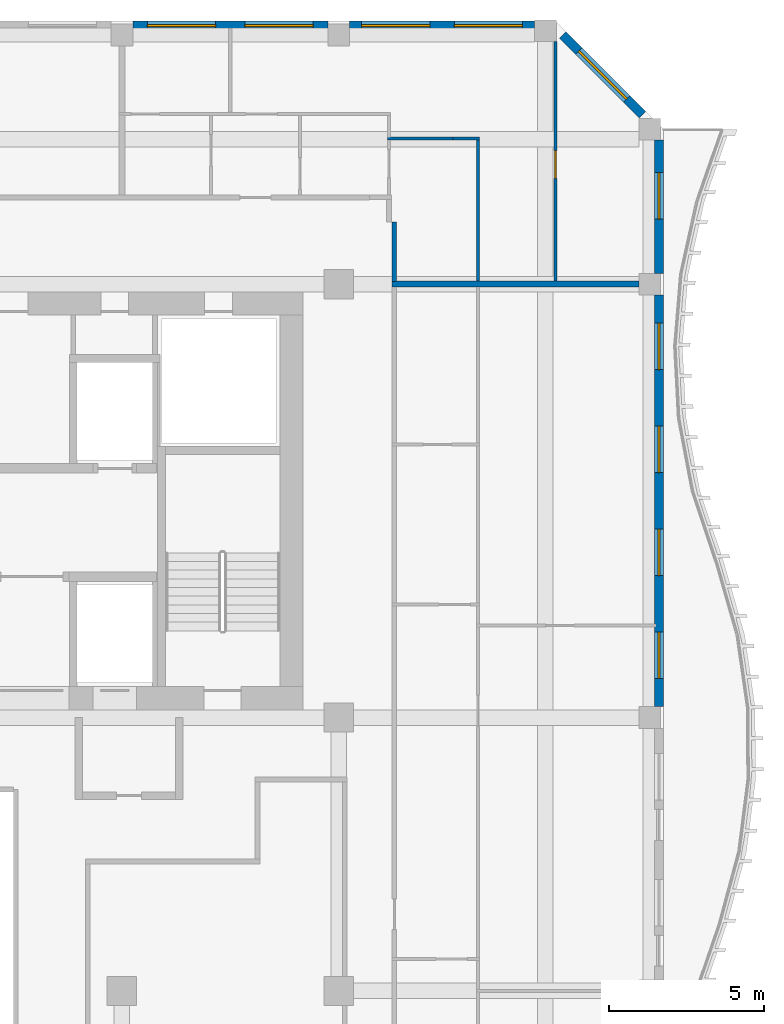
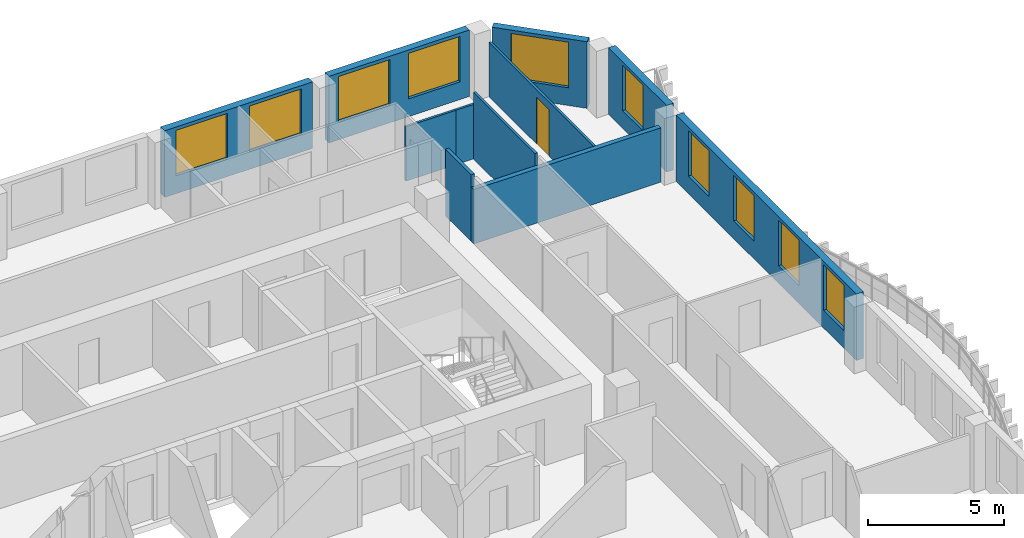
# One storey, part 8 of 13: 11 walls, 10 windows, 1 door, 11 openings.
"""IFC4 building model written with IfcOpenShell, lengths in metres."""

from ifc_helpers import new_model, si_unit, direction, frame, frame_2d, origin, place, context, subcontext, project, spatial, rectangle, extrude, source, transform, mapped, material, layer, layer_set, type_object, element, fill, save


model = new_model("IFC4")

# Units and contexts
model_context = context("Model", 3, precision=1e-05, world=origin(), true_north=direction((0.0, 1.0)))
body_context = subcontext(model_context, "Body", "Model", "MODEL_VIEW")
ifc_project = project(units=[si_unit("LENGTHUNIT", "METRE"), si_unit("AREAUNIT", "SQUARE_METRE"), si_unit("VOLUMEUNIT", "CUBIC_METRE"), si_unit("PLANEANGLEUNIT", "RADIAN"), si_unit("MASSUNIT", "GRAM", prefix="KILO")], contexts=[model_context])

# Site, building, storey
site_placement = place(None, origin())
site = spatial("IfcSite", under=ifc_project, at=site_placement, CompositionType="ELEMENT")
building_placement = place(site_placement, origin())
building = spatial("IfcBuilding", under=site, at=building_placement, Name="Kilnfold Tower and Market Hall", CompositionType="ELEMENT")
storey_placement = place(building_placement, frame((0.0, 0.0, 259.39990234375)))
storey = spatial("IfcBuildingStorey", under=building, at=storey_placement, Name="L63", CompositionType="ELEMENT", Elevation=259.39990234375)

# Walls
ifc_material_1 = material(Name="Gypsum board on steel studs", Category="steel")
ifc_layer_1 = layer(ifc_material_1, 0.14990234375)
ifc_layer_set_1 = layer_set([ifc_layer_1], Name="Gypsum board on steel studs")
wall_type_1 = type_object("IfcWallType", Name="WALL CORRIDOR 150", PredefinedType="PARTITIONING", material=ifc_layer_set_1)
wall_1_placement = place(storey_placement, frame((20.800048828125, 22.090087890625, 0.0), z_axis=(0.0, 0.0, 1.0), x_axis=(0.0, 1.0, 0.0)))
element("IfcWall", 1, at=wall_1_placement, inside=storey, type_object=wall_type_1, Name="Partition LY39.19", PredefinedType="PARTITIONING", context=body_context, shape_type="SweptSolid", body=[
    extrude(rectangle(XDim=1.909912109375, YDim=0.14990234375, at=frame_2d((0.955078125, 0.0))), origin(), (0.0, 0.0, 1.0), 3.0),
])
ifc_material_2 = material(Name="Gypsum board on steel studs", Category="steel")
ifc_layer_2 = layer(ifc_material_2, 0.10009765625)
ifc_layer_set_2 = layer_set([ifc_layer_2], Name="Gypsum board on steel studs")
wall_type_2 = type_object("IfcWallType", Name="WALL PARTITION 100", PredefinedType="PARTITIONING", material=ifc_layer_set_2)
wall_2_placement = place(storey_placement, frame((22.701904296875, 26.697998046875, 0.0), z_axis=(0.0, 0.0, 1.0), x_axis=(-1.0, 0.0, 0.0)))
element("IfcWall", 2, at=wall_2_placement, inside=storey, type_object=wall_type_2, Name="Partition LY39.72", PredefinedType="PARTITIONING", context=body_context, shape_type="SweptSolid", body=[
    extrude(rectangle(XDim=2.126953125, YDim=0.10009765625, at=frame_2d((1.0634765625, 0.0))), origin(), (0.0, 0.0, 1.0), 2.4501953125),
])
wall_3_placement = place(storey_placement, frame((23.550048828125, 26.699951171875, 0.0), z_axis=(0.0, 0.0, 1.0), x_axis=(-1.0, 0.0, 0.0)))
element("IfcWall", 3, at=wall_3_placement, inside=storey, type_object=wall_type_2, Name="Partition LY39.73", PredefinedType="PARTITIONING", context=body_context, shape_type="SweptSolid", body=[
    extrude(rectangle(XDim=0.84814453125, YDim=0.10009765625, at=frame_2d((0.424072265625, 0.0))), origin(), (0.0, 0.0, 1.0), 2.4501953125),
])
wall_4_placement = place(storey_placement, frame((23.5, 22.10009765625, 0.0), z_axis=(0.0, 0.0, 1.0), x_axis=(0.0, 1.0, 0.0)))
element("IfcWall", 4, at=wall_4_placement, inside=storey, type_object=wall_type_2, Name="Partition LY39.74", PredefinedType="PARTITIONING", context=body_context, shape_type="SweptSolid", body=[
    extrude(rectangle(XDim=4.5498046875, YDim=0.10009765625, at=frame_2d((2.27490234375, 0.0))), origin(), (0.0, 0.0, 1.0), 3.0),
])

# Wall, opening, door
wall_5_placement = place(storey_placement, frame((26.0, 22.10009765625, 0.0), z_axis=(0.0, 0.0, 1.0), x_axis=(0.0, 1.0, 0.0)))
wall_5 = element("IfcWall", 5, at=wall_5_placement, inside=storey, type_object=wall_type_2, Name="Partition LY39.76", PredefinedType="PARTITIONING", context=body_context, shape_type="SweptSolid", body=[
    extrude(rectangle(XDim=7.73193359375, YDim=0.10009765625, at=frame_2d((3.865966796875, 0.0))), origin(), (0.0, 0.0, 1.0), 2.4501953125),
])
opening_1_placement = place(wall_5_placement, frame((3.31494140625, 0.0, 0.0)))
opening_1 = element("IfcOpeningElement", 6, at=opening_1_placement, cuts=wall_5, Name="Opening D2", PredefinedType="OPENING", context=body_context, shape_type="SweptSolid", body=[
    extrude(rectangle(XDim=0.89990234375, YDim=2.10009765625, at=frame_2d((0.449951171875, 1.050048828125))), frame((0.0, 0.06005859375, 0.0), z_axis=(0.0, -1.0, 0.0), x_axis=(1.0, 0.0, 0.0)), (0.0, 0.0, 1.0), 0.1201171875),
])
ifc_material_3 = material(Name="Timber veneer door leaf in steel frame", Category="steel")
door_type = type_object("IfcDoorType", Name="DOOR ROOM 900 X2100", OperationType="NOTDEFINED", PredefinedType="DOOR", material=ifc_material_3)
door_placement = place(opening_1_placement, origin())
door = element("IfcDoor", 7, at=door_placement, inside=storey, type_object=door_type, Name="Door D2", OperationType="SINGLE_SWING_RIGHT", OverallHeight=2.10009765625, OverallWidth=0.89990234375, PredefinedType="DOOR", context=body_context, shape_type="SweptSolid", body=[
    extrude(rectangle(XDim=0.89990234375, YDim=2.10009765625, at=frame_2d((0.449951171875, 1.050048828125))), frame((0.0, 0.02490234375, 0.0), z_axis=(0.0, -1.0, 0.0), x_axis=(1.0, 0.0, 0.0)), (0.0, 0.0, 1.0), 0.050048828125),
])
fill(opening_1, door)

# Wall
ifc_material_4 = material(Name="Gypsum board on steel studs", Category="steel")
ifc_layer_3 = layer(ifc_material_4, 0.199951171875)
ifc_layer_set_3 = layer_set([ifc_layer_3], Name="Gypsum board on steel studs")
wall_type_3 = type_object("IfcWallType", Name="WALL PARTY 200", PredefinedType="PARTITIONING", material=ifc_layer_set_3)
wall_6_placement = place(storey_placement, frame((20.72705078125, 22.0, 0.0), z_axis=(0.0, 0.0, 1.0), x_axis=(1.0, 0.0, 0.0)))
element("IfcWall", 8, at=wall_6_placement, inside=storey, type_object=wall_type_3, Name="Partition LY39.64", PredefinedType="PARTITIONING", context=body_context, shape_type="SweptSolid", body=[
    extrude(rectangle(XDim=7.972900390625, YDim=0.199951171875, at=frame_2d((3.986328125, 0.0))), origin(), (0.0, 0.0, 1.0), 2.4501953125),
])

# Wall, openings, windows
ifc_material_5 = material(Name="Precast concrete C50/60", Category="concrete")
ifc_layer_4 = layer(ifc_material_5, 0.300048828125)
ifc_layer_set_4 = layer_set([ifc_layer_4], Name="Precast concrete C50/60")
wall_type_4 = type_object("IfcWallType", Name="PRECAST WALL 300", PredefinedType="SOLIDWALL", material=ifc_layer_set_4)
shared_shape_1 = source(origin(), body_context, "Body", "SweptSolid", [
    extrude(rectangle(XDim=6.2998046875, YDim=0.300048828125, at=frame_2d((3.14990234375, 0.0))), origin(), (0.0, 0.0, 1.0), 3.0),
])
wall_7_placement = place(storey_placement, frame((18.64990234375, 30.35009765625, 0.0), z_axis=(0.0, 0.0, 1.0), x_axis=(-1.0, 0.0, 0.0)))
wall_7 = element("IfcWall", 9, at=wall_7_placement, inside=storey, type_object=wall_type_4, Name="External wall L63 N", PredefinedType="SOLIDWALL", context=body_context, shape_type="MappedRepresentation", body=[
    mapped(shared_shape_1, transform((0.0, 0.0, 0.0))),
])
opening_2_placement = place(wall_7_placement, frame((0.47509765625, 0.0, 0.800048828125)))
opening_2 = element("IfcOpeningElement", 10, at=opening_2_placement, cuts=wall_7, Name="Opening W3", PredefinedType="OPENING", context=body_context, shape_type="SweptSolid", body=[
    extrude(rectangle(XDim=2.199951171875, YDim=2.050048828125, at=frame_2d((1.10009765625, 1.02490234375))), frame((0.0, 0.16015625, 0.0), z_axis=(0.0, -1.0, 0.0), x_axis=(1.0, 0.0, 0.0)), (0.0, 0.0, 1.0), 0.320068359375),
])
opening_3_placement = place(wall_7_placement, frame((3.625, 0.0, 0.800048828125)))
opening_3 = element("IfcOpeningElement", 11, at=opening_3_placement, cuts=wall_7, Name="Opening W3", PredefinedType="OPENING", context=body_context, shape_type="SweptSolid", body=[
    extrude(rectangle(XDim=2.199951171875, YDim=2.050048828125, at=frame_2d((1.10009765625, 1.02490234375))), frame((0.0, 0.16015625, 0.0), z_axis=(0.0, -1.0, 0.0), x_axis=(1.0, 0.0, 0.0)), (0.0, 0.0, 1.0), 0.320068359375),
])
ifc_material_6 = material(Name="Aluminium frame and double glazing", Category="aluminium")
window_type_1 = type_object("IfcWindowType", Name="WINDOW W3 2200X2050", PartitioningType="SINGLE_PANEL", PredefinedType="WINDOW", material=ifc_material_6)
window_1_placement = place(opening_2_placement, origin())
window_1 = element("IfcWindow", 12, at=window_1_placement, inside=storey, type_object=window_type_1, Name="Window W3 L63 N-1", OverallHeight=2.050048828125, OverallWidth=2.199951171875, PartitioningType="SINGLE_PANEL", PredefinedType="WINDOW", context=body_context, shape_type="SweptSolid", body=[
    extrude(rectangle(XDim=2.199951171875, YDim=2.050048828125, at=frame_2d((1.10009765625, 1.02490234375))), frame((0.0, 0.030029296875, 0.0), z_axis=(0.0, -1.0, 0.0), x_axis=(1.0, 0.0, 0.0)), (0.0, 0.0, 1.0), 0.06005859375),
])
fill(opening_2, window_1)
window_2_placement = place(opening_3_placement, origin())
window_2 = element("IfcWindow", 13, at=window_2_placement, inside=storey, type_object=window_type_1, Name="Window W3 L63 N-2", OverallHeight=2.050048828125, OverallWidth=2.199951171875, PartitioningType="SINGLE_PANEL", PredefinedType="WINDOW", context=body_context, shape_type="SweptSolid", body=[
    extrude(rectangle(XDim=2.199951171875, YDim=2.050048828125, at=frame_2d((1.10009765625, 1.02490234375))), frame((0.0, 0.030029296875, 0.0), z_axis=(0.0, -1.0, 0.0), x_axis=(1.0, 0.0, 0.0)), (0.0, 0.0, 1.0), 0.06005859375),
])
fill(opening_3, window_2)

# Wall, opening, window
shared_shape_2 = source(origin(), body_context, "Body", "SweptSolid", [
    extrude(rectangle(XDim=3.6416015625, YDim=0.300048828125, at=frame_2d((1.82080078125, 0.0))), origin(), (0.0, 0.0, 1.0), 3.0),
])
wall_8_placement = place(storey_placement, frame((28.81884765625, 27.468994140625, 0.0), z_axis=(0.0, 0.0, 1.0), x_axis=(-0.707106781187, 0.707106781187, 0.0)))
wall_8 = element("IfcWall", 14, at=wall_8_placement, inside=storey, type_object=wall_type_4, Name="External wall L63 NE", PredefinedType="SOLIDWALL", context=body_context, shape_type="MappedRepresentation", body=[
    mapped(shared_shape_2, transform((0.0, 0.0, 0.0))),
])
opening_4_placement = place(wall_8_placement, frame((0.720703125, 0.0, 0.800048828125)))
opening_4 = element("IfcOpeningElement", 15, at=opening_4_placement, cuts=wall_8, Name="Opening W3", PredefinedType="OPENING", context=body_context, shape_type="SweptSolid", body=[
    extrude(rectangle(XDim=2.199951171875, YDim=2.050048828125, at=frame_2d((1.10009765625, 1.02490234375))), frame((0.0, 0.16015625, 0.0), z_axis=(0.0, -1.0, 0.0), x_axis=(1.0, 0.0, 0.0)), (0.0, 0.0, 1.0), 0.320068359375),
])
window_3_placement = place(opening_4_placement, origin())
window_3 = element("IfcWindow", 16, at=window_3_placement, inside=storey, type_object=window_type_1, Name="Window W3 L63 NE-1", OverallHeight=2.050048828125, OverallWidth=2.199951171875, PartitioningType="SINGLE_PANEL", PredefinedType="WINDOW", context=body_context, shape_type="SweptSolid", body=[
    extrude(rectangle(XDim=2.199951171875, YDim=2.050048828125, at=frame_2d((1.10009765625, 1.02490234375))), frame((0.0, 0.030029296875, 0.0), z_axis=(0.0, -1.0, 0.0), x_axis=(1.0, 0.0, 0.0)), (0.0, 0.0, 1.0), 0.06005859375),
])
fill(opening_4, window_3)

# Wall, openings, windows
shared_shape_3 = source(origin(), body_context, "Body", "SweptSolid", [
    extrude(rectangle(XDim=13.2998046875, YDim=0.300048828125, at=frame_2d((6.64990234375, 0.0))), origin(), (0.0, 0.0, 1.0), 3.0),
])
wall_9_placement = place(storey_placement, frame((29.35009765625, 8.35009765625, 0.0), z_axis=(0.0, 0.0, 1.0), x_axis=(0.0, 1.0, 0.0)))
wall_9 = element("IfcWall", 17, at=wall_9_placement, inside=storey, type_object=wall_type_4, Name="External wall L63 E", PredefinedType="SOLIDWALL", context=body_context, shape_type="MappedRepresentation", body=[
    mapped(shared_shape_3, transform((0.0, 0.0, 0.0))),
])
opening_5_placement = place(wall_9_placement, frame((0.91259765625, 0.0, 0.800048828125)))
opening_5 = element("IfcOpeningElement", 18, at=opening_5_placement, cuts=wall_9, Name="Opening W5", PredefinedType="OPENING", context=body_context, shape_type="SweptSolid", body=[
    extrude(rectangle(XDim=1.5, YDim=2.050048828125, at=frame_2d((0.75, 1.02490234375))), frame((0.0, 0.16015625, 0.0), z_axis=(0.0, -1.0, 0.0), x_axis=(1.0, 0.0, 0.0)), (0.0, 0.0, 1.0), 0.320068359375),
])
opening_6_placement = place(wall_9_placement, frame((4.237548828125, 0.0, 0.800048828125)))
opening_6 = element("IfcOpeningElement", 19, at=opening_6_placement, cuts=wall_9, Name="Opening W5", PredefinedType="OPENING", context=body_context, shape_type="SweptSolid", body=[
    extrude(rectangle(XDim=1.5, YDim=2.050048828125, at=frame_2d((0.75, 1.02490234375))), frame((0.0, 0.16015625, 0.0), z_axis=(0.0, -1.0, 0.0), x_axis=(1.0, 0.0, 0.0)), (0.0, 0.0, 1.0), 0.320068359375),
])
opening_7_placement = place(wall_9_placement, frame((7.5625, 0.0, 0.800048828125)))
opening_7 = element("IfcOpeningElement", 20, at=opening_7_placement, cuts=wall_9, Name="Opening W5", PredefinedType="OPENING", context=body_context, shape_type="SweptSolid", body=[
    extrude(rectangle(XDim=1.5, YDim=2.050048828125, at=frame_2d((0.75, 1.02490234375))), frame((0.0, 0.16015625, 0.0), z_axis=(0.0, -1.0, 0.0), x_axis=(1.0, 0.0, 0.0)), (0.0, 0.0, 1.0), 0.320068359375),
])
opening_8_placement = place(wall_9_placement, frame((10.887451171875, 0.0, 0.800048828125)))
opening_8 = element("IfcOpeningElement", 21, at=opening_8_placement, cuts=wall_9, Name="Opening W5", PredefinedType="OPENING", context=body_context, shape_type="SweptSolid", body=[
    extrude(rectangle(XDim=1.5, YDim=2.050048828125, at=frame_2d((0.75, 1.02490234375))), frame((0.0, 0.16015625, 0.0), z_axis=(0.0, -1.0, 0.0), x_axis=(1.0, 0.0, 0.0)), (0.0, 0.0, 1.0), 0.320068359375),
])
ifc_material_7 = material(Name="Aluminium frame and double glazing", Category="aluminium")
window_type_2 = type_object("IfcWindowType", Name="WINDOW W5 1500X2050", PartitioningType="SINGLE_PANEL", PredefinedType="WINDOW", material=ifc_material_7)
window_4_placement = place(opening_5_placement, origin())
window_4 = element("IfcWindow", 22, at=window_4_placement, inside=storey, type_object=window_type_2, Name="Window W5 L63 E-1", OverallHeight=2.050048828125, OverallWidth=1.5, PartitioningType="SINGLE_PANEL", PredefinedType="WINDOW", context=body_context, shape_type="SweptSolid", body=[
    extrude(rectangle(XDim=1.5, YDim=2.050048828125, at=frame_2d((0.75, 1.02490234375))), frame((0.0, 0.030029296875, 0.0), z_axis=(0.0, -1.0, 0.0), x_axis=(1.0, 0.0, 0.0)), (0.0, 0.0, 1.0), 0.06005859375),
])
fill(opening_5, window_4)
window_5_placement = place(opening_6_placement, origin())
window_5 = element("IfcWindow", 23, at=window_5_placement, inside=storey, type_object=window_type_2, Name="Window W5 L63 E-2", OverallHeight=2.050048828125, OverallWidth=1.5, PartitioningType="SINGLE_PANEL", PredefinedType="WINDOW", context=body_context, shape_type="SweptSolid", body=[
    extrude(rectangle(XDim=1.5, YDim=2.050048828125, at=frame_2d((0.75, 1.02490234375))), frame((0.0, 0.030029296875, 0.0), z_axis=(0.0, -1.0, 0.0), x_axis=(1.0, 0.0, 0.0)), (0.0, 0.0, 1.0), 0.06005859375),
])
fill(opening_6, window_5)
window_6_placement = place(opening_7_placement, origin())
window_6 = element("IfcWindow", 24, at=window_6_placement, inside=storey, type_object=window_type_2, Name="Window W5 L63 E-3", OverallHeight=2.050048828125, OverallWidth=1.5, PartitioningType="SINGLE_PANEL", PredefinedType="WINDOW", context=body_context, shape_type="SweptSolid", body=[
    extrude(rectangle(XDim=1.5, YDim=2.050048828125, at=frame_2d((0.75, 1.02490234375))), frame((0.0, 0.030029296875, 0.0), z_axis=(0.0, -1.0, 0.0), x_axis=(1.0, 0.0, 0.0)), (0.0, 0.0, 1.0), 0.06005859375),
])
fill(opening_7, window_6)
window_7_placement = place(opening_8_placement, origin())
window_7 = element("IfcWindow", 25, at=window_7_placement, inside=storey, type_object=window_type_2, Name="Window W5 L63 E-4", OverallHeight=2.050048828125, OverallWidth=1.5, PartitioningType="SINGLE_PANEL", PredefinedType="WINDOW", context=body_context, shape_type="SweptSolid", body=[
    extrude(rectangle(XDim=1.5, YDim=2.050048828125, at=frame_2d((0.75, 1.02490234375))), frame((0.0, 0.030029296875, 0.0), z_axis=(0.0, -1.0, 0.0), x_axis=(1.0, 0.0, 0.0)), (0.0, 0.0, 1.0), 0.06005859375),
])
fill(opening_8, window_7)

# Wall, opening, window
shared_shape_4 = source(origin(), body_context, "Body", "SweptSolid", [
    extrude(rectangle(XDim=4.2998046875, YDim=0.300048828125, at=frame_2d((2.14990234375, 0.0))), origin(), (0.0, 0.0, 1.0), 3.0),
])
wall_10_placement = place(storey_placement, frame((29.35009765625, 22.35009765625, 0.0), z_axis=(0.0, 0.0, 1.0), x_axis=(0.0, 1.0, 0.0)))
wall_10 = element("IfcWall", 26, at=wall_10_placement, inside=storey, type_object=wall_type_4, Name="External wall L63 E", PredefinedType="SOLIDWALL", context=body_context, shape_type="MappedRepresentation", body=[
    mapped(shared_shape_4, transform((0.0, 0.0, 0.0))),
])
opening_9_placement = place(wall_10_placement, frame((1.75, 0.0, 0.800048828125)))
opening_9 = element("IfcOpeningElement", 27, at=opening_9_placement, cuts=wall_10, Name="Opening W5", PredefinedType="OPENING", context=body_context, shape_type="SweptSolid", body=[
    extrude(rectangle(XDim=1.5, YDim=2.050048828125, at=frame_2d((0.75, 1.02490234375))), frame((0.0, 0.16015625, 0.0), z_axis=(0.0, -1.0, 0.0), x_axis=(1.0, 0.0, 0.0)), (0.0, 0.0, 1.0), 0.320068359375),
])
window_8_placement = place(opening_9_placement, origin())
window_8 = element("IfcWindow", 28, at=window_8_placement, inside=storey, type_object=window_type_2, Name="Window W5 L63 E-1", OverallHeight=2.050048828125, OverallWidth=1.5, PartitioningType="SINGLE_PANEL", PredefinedType="WINDOW", context=body_context, shape_type="SweptSolid", body=[
    extrude(rectangle(XDim=1.5, YDim=2.050048828125, at=frame_2d((0.75, 1.02490234375))), frame((0.0, 0.030029296875, 0.0), z_axis=(0.0, -1.0, 0.0), x_axis=(1.0, 0.0, 0.0)), (0.0, 0.0, 1.0), 0.06005859375),
])
fill(opening_9, window_8)

# Wall, openings, windows
shared_shape_5 = source(origin(), body_context, "Body", "SweptSolid", [
    extrude(rectangle(XDim=5.981689453125, YDim=0.300048828125, at=frame_2d((2.99072265625, 0.0))), origin(), (0.0, 0.0, 1.0), 3.0),
])
wall_11_placement = place(storey_placement, frame((25.331787109375, 30.35009765625, 0.0), z_axis=(0.0, 0.0, 1.0), x_axis=(-1.0, 0.0, 0.0)))
wall_11 = element("IfcWall", 29, at=wall_11_placement, inside=storey, type_object=wall_type_4, Name="External wall L63 N", PredefinedType="SOLIDWALL", context=body_context, shape_type="MappedRepresentation", body=[
    mapped(shared_shape_5, transform((0.0, 0.0, 0.0))),
])
opening_10_placement = place(wall_11_placement, frame((0.3955078125, 0.0, 0.800048828125)))
opening_10 = element("IfcOpeningElement", 30, at=opening_10_placement, cuts=wall_11, Name="Opening W3", PredefinedType="OPENING", context=body_context, shape_type="SweptSolid", body=[
    extrude(rectangle(XDim=2.199951171875, YDim=2.050048828125, at=frame_2d((1.10009765625, 1.02490234375))), frame((0.0, 0.16015625, 0.0), z_axis=(0.0, -1.0, 0.0), x_axis=(1.0, 0.0, 0.0)), (0.0, 0.0, 1.0), 0.320068359375),
])
opening_11_placement = place(wall_11_placement, frame((3.386474609375, 0.0, 0.800048828125)))
opening_11 = element("IfcOpeningElement", 31, at=opening_11_placement, cuts=wall_11, Name="Opening W3", PredefinedType="OPENING", context=body_context, shape_type="SweptSolid", body=[
    extrude(rectangle(XDim=2.199951171875, YDim=2.050048828125, at=frame_2d((1.10009765625, 1.02490234375))), frame((0.0, 0.16015625, 0.0), z_axis=(0.0, -1.0, 0.0), x_axis=(1.0, 0.0, 0.0)), (0.0, 0.0, 1.0), 0.320068359375),
])
window_9_placement = place(opening_10_placement, origin())
window_9 = element("IfcWindow", 32, at=window_9_placement, inside=storey, type_object=window_type_1, Name="Window W3 L63 N-1", OverallHeight=2.050048828125, OverallWidth=2.199951171875, PartitioningType="SINGLE_PANEL", PredefinedType="WINDOW", context=body_context, shape_type="SweptSolid", body=[
    extrude(rectangle(XDim=2.199951171875, YDim=2.050048828125, at=frame_2d((1.10009765625, 1.02490234375))), frame((0.0, 0.030029296875, 0.0), z_axis=(0.0, -1.0, 0.0), x_axis=(1.0, 0.0, 0.0)), (0.0, 0.0, 1.0), 0.06005859375),
])
fill(opening_10, window_9)
window_10_placement = place(opening_11_placement, origin())
window_10 = element("IfcWindow", 33, at=window_10_placement, inside=storey, type_object=window_type_1, Name="Window W3 L63 N-2", OverallHeight=2.050048828125, OverallWidth=2.199951171875, PartitioningType="SINGLE_PANEL", PredefinedType="WINDOW", context=body_context, shape_type="SweptSolid", body=[
    extrude(rectangle(XDim=2.199951171875, YDim=2.050048828125, at=frame_2d((1.10009765625, 1.02490234375))), frame((0.0, 0.030029296875, 0.0), z_axis=(0.0, -1.0, 0.0), x_axis=(1.0, 0.0, 0.0)), (0.0, 0.0, 1.0), 0.06005859375),
])
fill(opening_11, window_10)

save(model, "model.ifc")
